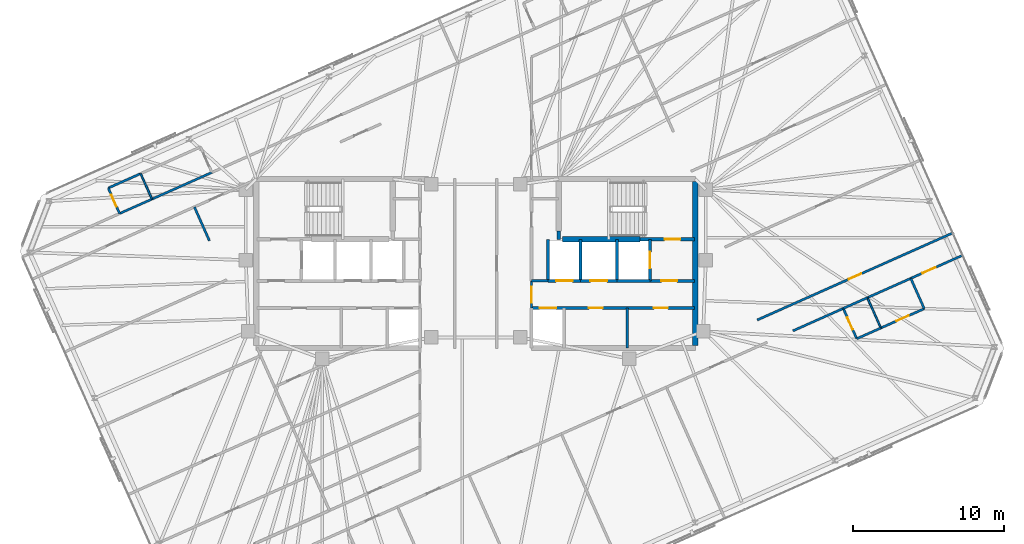
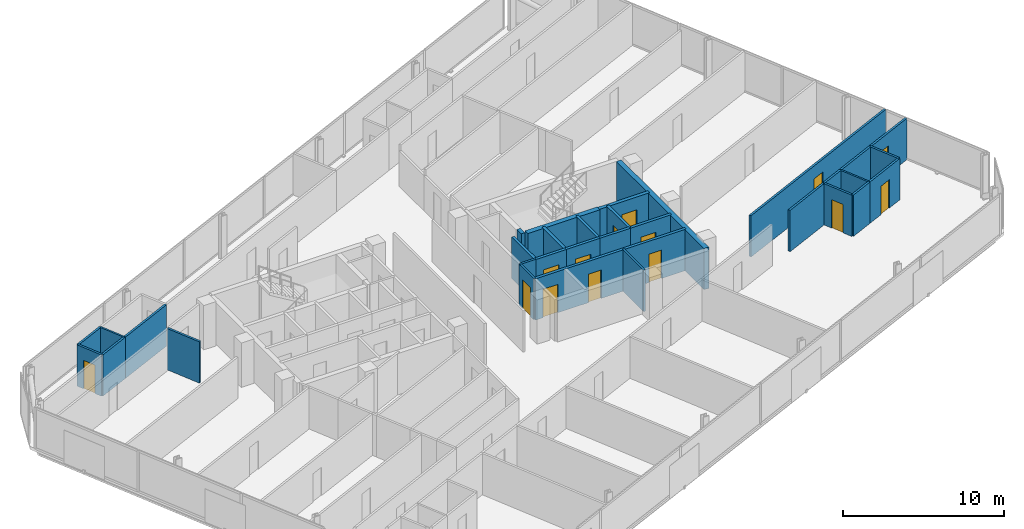
# One storey, part 15 of 19: 32 walls, 14 doors, 14 openings.
"""IFC4 building model written with IfcOpenShell, lengths in metres."""

from ifc_helpers import new_model, si_unit, direction, frame, frame_2d, origin, place, context, subcontext, project, spatial, rectangle, extrude, material, layer, layer_set, type_object, element, fill, save


model = new_model("IFC4")

# Units and contexts
model_context = context("Model", 3, precision=1e-05, world=origin(), true_north=direction((0.0, 1.0)))
body_context = subcontext(model_context, "Body", "Model", "MODEL_VIEW")
ifc_project = project(units=[si_unit("LENGTHUNIT", "METRE"), si_unit("AREAUNIT", "SQUARE_METRE"), si_unit("VOLUMEUNIT", "CUBIC_METRE"), si_unit("PLANEANGLEUNIT", "RADIAN"), si_unit("MASSUNIT", "GRAM", prefix="KILO")], contexts=[model_context])

# Site, building, storey
site_placement = place(None, origin())
site = spatial("IfcSite", under=ifc_project, at=site_placement, CompositionType="ELEMENT")
building_placement = place(site_placement, origin())
building = spatial("IfcBuilding", under=site, at=building_placement, Name="Menara Jurai Vektor", CompositionType="ELEMENT")
storey_placement = place(building_placement, frame((0.0, 0.0, 262.199951171875)))
storey = spatial("IfcBuildingStorey", under=building, at=storey_placement, Name="L70", CompositionType="ELEMENT", Elevation=262.199951171875)

# Wall, opening, door
ifc_material_1 = material(Name="Concrete C40/50", Category="concrete")
ifc_layer_1 = layer(ifc_material_1, 0.25)
ifc_layer_set_1 = layer_set([ifc_layer_1], Name="Concrete C40/50")
wall_type_1 = type_object("IfcWallType", Name="INT-WALL-CORE-250", PredefinedType="STANDARD", material=ifc_layer_set_1)
wall_1_placement = place(storey_placement, frame((10.89990234375, 1.60009765625, 0.0), z_axis=(0.0, 0.0, 1.0), x_axis=(1.0, 0.0, 0.0)))
wall_1 = element("IfcWall", 1, at=wall_1_placement, inside=storey, type_object=wall_type_1, Name="Interior Wall IW-250 L70", PredefinedType="STANDARD", context=body_context, shape_type="SweptSolid", body=[
    extrude(rectangle(XDim=3.60009765625, YDim=0.25, at=frame_2d((1.800048828125, 0.0))), origin(), (0.0, 0.0, 1.0), 3.125),
])
opening_1_placement = place(wall_1_placement, frame((1.6201171875, 0.0, 0.0)))
opening_1 = element("IfcOpeningElement", 2, at=opening_1_placement, cuts=wall_1, Name="Opening D-L70-ST2", PredefinedType="OPENING", context=body_context, shape_type="SweptSolid", body=[
    extrude(rectangle(XDim=1.050048828125, YDim=2.14990234375, at=frame_2d((0.52490234375, 1.074951171875))), frame((0.0, 0.135009765625, 0.0), z_axis=(0.0, -1.0, 0.0), x_axis=(1.0, 0.0, 0.0)), (0.0, 0.0, 1.0), 0.27001953125),
])
ifc_material_2 = material(Name="Fire-Rated Steel Door", Category="steel")
door_type_1 = type_object("IfcDoorType", Name="DR-STAIR-1050", OperationType="NOTDEFINED", PredefinedType="DOOR", material=ifc_material_2)
door_1_placement = place(opening_1_placement, origin())
door_1 = element("IfcDoor", 3, at=door_1_placement, inside=storey, type_object=door_type_1, Name="Exit Stair ST2 Door L70", OperationType="SINGLE_SWING_LEFT", OverallHeight=2.14990234375, OverallWidth=1.050048828125, PredefinedType="DOOR", context=body_context, shape_type="SweptSolid", body=[
    extrude(rectangle(XDim=1.050048828125, YDim=2.14990234375, at=frame_2d((0.52490234375, 1.074951171875))), frame((0.0, 0.02490234375, 0.0), z_axis=(0.0, -1.0, 0.0), x_axis=(1.0, 0.0, 0.0)), (0.0, 0.0, 1.0), 0.050048828125),
])
fill(opening_1, door_1)

# Wall
wall_2_placement = place(storey_placement, frame((5.5, 1.60009765625, 0.0), z_axis=(0.0, 0.0, 1.0), x_axis=(0.0, 1.0, 0.0)))
element("IfcWall", 4, at=wall_2_placement, inside=storey, type_object=wall_type_1, Name="Interior Wall IW-250 L70", PredefinedType="STANDARD", context=body_context, shape_type="SweptSolid", body=[
    extrude(rectangle(XDim=0.5498046875, YDim=0.25, at=frame_2d((0.27490234375, 0.0))), origin(), (0.0, 0.0, 1.0), 3.125),
])

# Wall, opening, door
wall_3_placement = place(storey_placement, frame((11.550048828125, -1.14990234375, 0.0), z_axis=(0.0, 0.0, 1.0), x_axis=(0.0, 1.0, 0.0)))
wall_3 = element("IfcWall", 5, at=wall_3_placement, inside=storey, type_object=wall_type_1, Name="Interior Wall IW-250 L70", PredefinedType="STANDARD", context=body_context, shape_type="SweptSolid", body=[
    extrude(rectangle(XDim=2.75, YDim=0.199951171875, at=frame_2d((1.375, 0.0))), origin(), (0.0, 0.0, 1.0), 3.125),
])
opening_2_placement = place(wall_3_placement, frame((0.824951171875, 0.0, 0.0)))
opening_2 = element("IfcOpeningElement", 6, at=opening_2_placement, cuts=wall_3, Name="Opening LD-L70-FL2", PredefinedType="OPENING", context=body_context, shape_type="SweptSolid", body=[
    extrude(rectangle(XDim=1.10009765625, YDim=2.14990234375, at=frame_2d((0.550048828125, 1.074951171875))), frame((0.0, 0.10986328125, 0.0), z_axis=(0.0, -1.0, 0.0), x_axis=(1.0, 0.0, 0.0)), (0.0, 0.0, 1.0), 0.219970703125),
])
ifc_material_3 = material(Name="Stainless Steel Sliding Lift Landing Door", Category="steel")
door_type_2 = type_object("IfcDoorType", Name="DR-LIFT-FIRE-1100", OperationType="NOTDEFINED", PredefinedType="DOOR", material=ifc_material_3)
door_2_placement = place(opening_2_placement, origin())
door_2 = element("IfcDoor", 7, at=door_2_placement, inside=storey, type_object=door_type_2, Name="Lift Landing Door FL2 L70", OperationType="SLIDING_TO_RIGHT", OverallHeight=2.14990234375, OverallWidth=1.10009765625, PredefinedType="DOOR", context=body_context, shape_type="SweptSolid", body=[
    extrude(rectangle(XDim=1.10009765625, YDim=2.14990234375, at=frame_2d((0.550048828125, 1.074951171875))), frame((0.0, 0.02490234375, 0.0), z_axis=(0.0, -1.0, 0.0), x_axis=(1.0, 0.0, 0.0)), (0.0, 0.0, 1.0), 0.050048828125),
])
fill(opening_2, door_2)

# Wall
wall_4_placement = place(storey_placement, frame((9.35009765625, -1.14990234375, 0.0), z_axis=(0.0, 0.0, 1.0), x_axis=(0.0, 1.0, 0.0)))
element("IfcWall", 8, at=wall_4_placement, inside=storey, type_object=wall_type_1, Name="Interior Wall IW-250 L70", PredefinedType="STANDARD", context=body_context, shape_type="SweptSolid", body=[
    extrude(rectangle(XDim=2.75, YDim=0.199951171875, at=frame_2d((1.375, 0.0))), origin(), (0.0, 0.0, 1.0), 3.125),
])

# Wall, opening, door
wall_5_placement = place(storey_placement, frame((11.550048828125, -1.14990234375, 0.0), z_axis=(0.0, 0.0, 1.0), x_axis=(1.0, 0.0, 0.0)))
wall_5 = element("IfcWall", 9, at=wall_5_placement, inside=storey, type_object=wall_type_1, Name="Interior Wall IW-250 L70", PredefinedType="STANDARD", context=body_context, shape_type="SweptSolid", body=[
    extrude(rectangle(XDim=2.949951171875, YDim=0.199951171875, at=frame_2d((1.47509765625, 0.0))), origin(), (0.0, 0.0, 1.0), 3.125),
])
opening_3_placement = place(wall_5_placement, frame((0.75, 0.0, 0.0)))
opening_3 = element("IfcOpeningElement", 10, at=opening_3_placement, cuts=wall_5, Name="Opening D-L70-FFE", PredefinedType="OPENING", context=body_context, shape_type="SweptSolid", body=[
    extrude(rectangle(XDim=1.050048828125, YDim=2.179931640625, at=frame_2d((0.52490234375, 1.08984375))), frame((0.0, 0.10986328125, 0.0), z_axis=(0.0, -1.0, 0.0), x_axis=(1.0, 0.0, 0.0)), (0.0, 0.0, 1.0), 0.219970703125),
])
ifc_material_4 = material(Name="Fire-Rated Timber Door", Category="wood")
door_type_3 = type_object("IfcDoorType", Name="DR-LOBBY-1050", OperationType="NOTDEFINED", PredefinedType="DOOR", material=ifc_material_4)
door_3_placement = place(opening_3_placement, origin())
door_3 = element("IfcDoor", 11, at=door_3_placement, inside=storey, type_object=door_type_3, Name="Fire Lift Lobby Door E L70", OperationType="SINGLE_SWING_LEFT", OverallHeight=2.179931640625, OverallWidth=1.050048828125, PredefinedType="DOOR", context=body_context, shape_type="SweptSolid", body=[
    extrude(rectangle(XDim=1.050048828125, YDim=2.179931640625, at=frame_2d((0.52490234375, 1.08984375))), frame((0.0, 0.02490234375, 0.0), z_axis=(0.0, -1.0, 0.0), x_axis=(1.0, 0.0, 0.0)), (0.0, 0.0, 1.0), 0.050048828125),
])
fill(opening_3, door_3)

# Wall
wall_6_placement = place(storey_placement, frame((9.35009765625, -1.14990234375, 0.0), z_axis=(0.0, 0.0, 1.0), x_axis=(1.0, 0.0, 0.0)))
element("IfcWall", 12, at=wall_6_placement, inside=storey, type_object=wall_type_1, Name="Interior Wall IW-250 L70", PredefinedType="STANDARD", context=body_context, shape_type="SweptSolid", body=[
    extrude(rectangle(XDim=2.199951171875, YDim=0.199951171875, at=frame_2d((1.10009765625, 0.0))), origin(), (0.0, 0.0, 1.0), 3.125),
])

# Wall, opening, door
ifc_material_5 = material(Name="Gypsum Fireboard Partition", Category="gypsum")
ifc_layer_2 = layer(ifc_material_5, 0.14990234375)
ifc_layer_set_2 = layer_set([ifc_layer_2], Name="Gypsum Fireboard Partition")
wall_type_2 = type_object("IfcWallType", Name="INT-WALL-CORR-150", PredefinedType="PARTITIONING", material=ifc_layer_set_2)
wall_7_placement = place(storey_placement, frame((3.699951171875, -2.949951171875, 0.0), z_axis=(0.0, 0.0, 1.0), x_axis=(0.0, 1.0, 0.0)))
wall_7 = element("IfcWall", 13, at=wall_7_placement, inside=storey, type_object=wall_type_2, Name="Interior Wall IW-150 L70", PredefinedType="PARTITIONING", context=body_context, shape_type="SweptSolid", body=[
    extrude(rectangle(XDim=1.800048828125, YDim=0.14990234375, at=frame_2d((0.89990234375, 0.0))), origin(), (0.0, 0.0, 1.0), 3.125),
])
opening_4_placement = place(wall_7_placement, frame((0.35009765625, 0.0, 0.0)))
opening_4 = element("IfcOpeningElement", 14, at=opening_4_placement, cuts=wall_7, Name="Opening D-L70-LLE", PredefinedType="OPENING", context=body_context, shape_type="SweptSolid", body=[
    extrude(rectangle(XDim=1.050048828125, YDim=2.179931640625, at=frame_2d((0.52490234375, 1.08984375))), frame((0.0, 0.0849609375, 0.0), z_axis=(0.0, -1.0, 0.0), x_axis=(1.0, 0.0, 0.0)), (0.0, 0.0, 1.0), 0.169921875),
])
door_4_placement = place(opening_4_placement, frame((1.050048828125, 0.0, 0.0), z_axis=(0.0, 0.0, 1.0), x_axis=(-1.0, 0.0, 0.0)))
door_4 = element("IfcDoor", 15, at=door_4_placement, inside=storey, type_object=door_type_3, Name="Lift Lobby Corridor Door E L70", OperationType="SINGLE_SWING_RIGHT", OverallHeight=2.179931640625, OverallWidth=1.050048828125, PredefinedType="DOOR", context=body_context, shape_type="SweptSolid", body=[
    extrude(rectangle(XDim=1.050048828125, YDim=2.179931640625, at=frame_2d((0.52490234375, 1.08984375))), frame((0.0, 0.02490234375, 0.0), z_axis=(0.0, -1.0, 0.0), x_axis=(1.0, 0.0, 0.0)), (0.0, 0.0, 1.0), 0.050048828125),
])
fill(opening_4, door_4)

# Walls
wall_8_placement = place(storey_placement, frame((3.699951171875, -1.14990234375, 0.0), z_axis=(0.0, 0.0, 1.0), x_axis=(1.0, 0.0, 0.0)))
element("IfcWall", 16, at=wall_8_placement, inside=storey, type_object=wall_type_2, Name="Interior Wall IW-150 L70", PredefinedType="PARTITIONING", context=body_context, shape_type="SweptSolid", body=[
    extrude(rectangle(XDim=1.090087890625, YDim=0.14990234375, at=frame_2d((0.544921875, 0.0))), origin(), (0.0, 0.0, 1.0), 3.125),
])
wall_9_placement = place(storey_placement, frame((10.0400390625, -5.60009765625, 0.0), z_axis=(0.0, 0.0, 1.0), x_axis=(0.0, 1.0, 0.0)))
element("IfcWall", 17, at=wall_9_placement, inside=storey, type_object=wall_type_2, Name="Interior Wall IW-150 L70", PredefinedType="PARTITIONING", context=body_context, shape_type="SweptSolid", body=[
    extrude(rectangle(XDim=2.650146484375, YDim=0.14990234375, at=frame_2d((1.3251953125, 0.0))), origin(), (0.0, 0.0, 1.0), 3.125),
])
wall_10_placement = place(storey_placement, frame((-23.6201171875, 3.3125, 0.0), z_axis=(0.0, 0.0, 1.0), x_axis=(0.913558622212, 0.406707073682, 0.0)))
element("IfcWall", 18, at=wall_10_placement, inside=storey, type_object=wall_type_2, Name="Interior Wall IW-150 L70", PredefinedType="PARTITIONING", context=body_context, shape_type="SweptSolid", body=[
    extrude(rectangle(XDim=2.35009765625, YDim=0.14990234375, at=frame_2d((1.175048828125, 0.0))), origin(), (0.0, 0.0, 1.0), 3.125),
])
wall_11_placement = place(storey_placement, frame((-21.47314453125, 4.268310546875, 0.0), z_axis=(0.0, 0.0, 1.0), x_axis=(0.913545193015, 0.406737237438, 0.0)))
element("IfcWall", 19, at=wall_11_placement, inside=storey, type_object=wall_type_2, Name="Interior Wall IW-150 L70", PredefinedType="PARTITIONING", context=body_context, shape_type="SweptSolid", body=[
    extrude(rectangle(XDim=4.349853515625, YDim=0.14990234375, at=frame_2d((2.1748046875, 0.0))), origin(), (0.0, 0.0, 1.0), 3.125),
])
wall_12_placement = place(storey_placement, frame((21.03271484375, -4.46484375, 0.0), z_axis=(0.0, 0.0, 1.0), x_axis=(0.913543802, 0.40674036169, 0.0)))
element("IfcWall", 20, at=wall_12_placement, inside=storey, type_object=wall_type_2, Name="Interior Wall IW-150 L70", PredefinedType="PARTITIONING", context=body_context, shape_type="SweptSolid", body=[
    extrude(rectangle(XDim=3.650146484375, YDim=0.14990234375, at=frame_2d((1.8251953125, 0.0))), origin(), (0.0, 0.0, 1.0), 3.125),
])

# Wall, opening, door
wall_13_placement = place(storey_placement, frame((28.841796875, -0.988037109375, 0.0), z_axis=(0.0, 0.0, 1.0), x_axis=(0.913541633228, 0.406745232743, 0.0)))
wall_13 = element("IfcWall", 21, at=wall_13_placement, inside=storey, type_object=wall_type_2, Name="Interior Wall IW-150 L70", PredefinedType="PARTITIONING", context=body_context, shape_type="SweptSolid", body=[
    extrude(rectangle(XDim=3.77001953125, YDim=0.14990234375, at=frame_2d((1.885009765625, 0.0))), origin(), (0.0, 0.0, 1.0), 3.125),
])
opening_5_placement = place(wall_13_placement, frame((0.844482421875, 0.0, 0.0)))
opening_5 = element("IfcOpeningElement", 22, at=opening_5_placement, cuts=wall_13, Name="Opening D70-18", PredefinedType="OPENING", context=body_context, shape_type="SweptSolid", body=[
    extrude(rectangle(XDim=0.949951171875, YDim=2.14990234375, at=frame_2d((0.47509765625, 1.074951171875))), frame((0.0, 0.0849609375, 0.0), z_axis=(0.0, -1.0, 0.0), x_axis=(1.0, 0.0, 0.0)), (0.0, 0.0, 1.0), 0.169921875),
])
ifc_material_6 = material(Name="Solid Core Timber Fire Door", Category="wood")
door_type_4 = type_object("IfcDoorType", Name="DR-ENTRY-950", OperationType="NOTDEFINED", PredefinedType="DOOR", material=ifc_material_6)
door_5_placement = place(opening_5_placement, origin())
door_5 = element("IfcDoor", 23, at=door_5_placement, inside=storey, type_object=door_type_4, Name="Interior Door D70-18", OperationType="SINGLE_SWING_LEFT", OverallHeight=2.14990234375, OverallWidth=0.949951171875, PredefinedType="DOOR", context=body_context, shape_type="SweptSolid", body=[
    extrude(rectangle(XDim=0.949951171875, YDim=2.14990234375, at=frame_2d((0.47509765625, 1.074951171875))), frame((0.0, 0.02490234375, 0.0), z_axis=(0.0, -1.0, 0.0), x_axis=(1.0, 0.0, 0.0)), (0.0, 0.0, 1.0), 0.050048828125),
])
fill(opening_5, door_5)

# Walls
wall_14_placement = place(storey_placement, frame((24.3671875, -2.980224609375, 0.0), z_axis=(0.0, 0.0, 1.0), x_axis=(0.9135579554, 0.406708571492, 0.0)))
element("IfcWall", 24, at=wall_14_placement, inside=storey, type_object=wall_type_2, Name="Interior Wall IW-150 L70", PredefinedType="PARTITIONING", context=body_context, shape_type="SweptSolid", body=[
    extrude(rectangle(XDim=1.748046875, YDim=0.14990234375, at=frame_2d((0.8740234375, 0.0))), origin(), (0.0, 0.0, 1.0), 3.125),
])
wall_15_placement = place(storey_placement, frame((25.964111328125, -2.269287109375, 0.0), z_axis=(0.0, 0.0, 1.0), x_axis=(0.913542880558, 0.406742431252, 0.0)))
element("IfcWall", 25, at=wall_15_placement, inside=storey, type_object=wall_type_2, Name="Interior Wall IW-150 L70", PredefinedType="PARTITIONING", context=body_context, shape_type="SweptSolid", body=[
    extrude(rectangle(XDim=3.150146484375, YDim=0.14990234375, at=frame_2d((1.5751953125, 0.0))), origin(), (0.0, 0.0, 1.0), 3.125),
])

# Wall, opening, door
wall_16_placement = place(storey_placement, frame((18.661865234375, -3.747314453125, 0.0), z_axis=(0.0, 0.0, 1.0), x_axis=(0.913544622417, 0.406738519018, 0.0)))
wall_16 = element("IfcWall", 26, at=wall_16_placement, inside=storey, type_object=wall_type_2, Name="Interior Wall IW-150 L70", PredefinedType="PARTITIONING", context=body_context, shape_type="SweptSolid", body=[
    extrude(rectangle(XDim=14.192138671875, YDim=0.14990234375, at=frame_2d((7.09619140625, 0.0))), origin(), (0.0, 0.0, 1.0), 3.125),
])
opening_6_placement = place(wall_16_placement, frame((6.635986328125, 0.0, 0.0)))
opening_6 = element("IfcOpeningElement", 27, at=opening_6_placement, cuts=wall_16, Name="Opening D70-41", PredefinedType="OPENING", context=body_context, shape_type="SweptSolid", body=[
    extrude(rectangle(XDim=0.919921875, YDim=2.14990234375, at=frame_2d((0.4599609375, 1.074951171875))), frame((0.0, 0.0849609375, 0.0), z_axis=(0.0, -1.0, 0.0), x_axis=(1.0, 0.0, 0.0)), (0.0, 0.0, 1.0), 0.169921875),
])
door_6_placement = place(opening_6_placement, origin())
door_6 = element("IfcDoor", 28, at=door_6_placement, inside=storey, type_object=door_type_4, Name="Interior Door D70-41", OperationType="SINGLE_SWING_RIGHT", OverallHeight=2.14990234375, OverallWidth=0.919921875, PredefinedType="DOOR", context=body_context, shape_type="SweptSolid", body=[
    extrude(rectangle(XDim=0.919921875, YDim=2.14990234375, at=frame_2d((0.4599609375, 1.074951171875))), frame((0.0, 0.02490234375, 0.0), z_axis=(0.0, -1.0, 0.0), x_axis=(1.0, 0.0, 0.0)), (0.0, 0.0, 1.0), 0.050048828125),
])
fill(opening_6, door_6)

wall_17_placement = place(storey_placement, frame((-23.6201171875, 3.3125, 0.0), z_axis=(0.0, 0.0, 1.0), x_axis=(-0.406701600856, 0.913561058639, 0.0)))
wall_17 = element("IfcWall", 29, at=wall_17_placement, inside=storey, type_object=wall_type_2, Name="Interior Wall IW-150 L70", PredefinedType="PARTITIONING", context=body_context, shape_type="SweptSolid", body=[
    extrude(rectangle(XDim=1.85009765625, YDim=0.14990234375, at=frame_2d((0.925048828125, 0.0))), origin(), (0.0, 0.0, 1.0), 3.125),
])
opening_7_placement = place(wall_17_placement, frame((0.485107421875, 0.0, 0.0)))
opening_7 = element("IfcOpeningElement", 30, at=opening_7_placement, cuts=wall_17, Name="Opening D70-10", PredefinedType="OPENING", context=body_context, shape_type="SweptSolid", body=[
    extrude(rectangle(XDim=0.8798828125, YDim=2.14990234375, at=frame_2d((0.43994140625, 1.074951171875))), frame((0.0, 0.0849609375, 0.0), z_axis=(0.0, -1.0, 0.0), x_axis=(1.0, 0.0, 0.0)), (0.0, 0.0, 1.0), 0.169921875),
])
ifc_material_7 = material(Name="Moisture-Resistant Timber Door", Category="wood")
door_type_5 = type_object("IfcDoorType", Name="DR-BATH-880", OperationType="NOTDEFINED", PredefinedType="DOOR", material=ifc_material_7)
door_7_placement = place(opening_7_placement, origin())
door_7 = element("IfcDoor", 31, at=door_7_placement, inside=storey, type_object=door_type_5, Name="Interior Door D70-10", OperationType="SINGLE_SWING_LEFT", OverallHeight=2.14990234375, OverallWidth=0.8798828125, PredefinedType="DOOR", context=body_context, shape_type="SweptSolid", body=[
    extrude(rectangle(XDim=0.8798828125, YDim=2.14990234375, at=frame_2d((0.43994140625, 1.074951171875))), frame((0.0, 0.02490234375, 0.0), z_axis=(0.0, -1.0, 0.0), x_axis=(1.0, 0.0, 0.0)), (0.0, 0.0, 1.0), 0.050048828125),
])
fill(opening_7, door_7)

# Wall
wall_18_placement = place(storey_placement, frame((-24.37255859375, 5.002685546875, 0.0), z_axis=(0.0, 0.0, 1.0), x_axis=(0.913558622212, 0.406707073682, 0.0)))
element("IfcWall", 32, at=wall_18_placement, inside=storey, type_object=wall_type_2, Name="Interior Wall IW-150 L70", PredefinedType="PARTITIONING", context=body_context, shape_type="SweptSolid", body=[
    extrude(rectangle(XDim=2.35009765625, YDim=0.14990234375, at=frame_2d((1.175048828125, 0.0))), origin(), (0.0, 0.0, 1.0), 3.125),
])

# Wall, opening, door
wall_19_placement = place(storey_placement, frame((25.261962890625, -4.989990234375, 0.0), z_axis=(0.0, 0.0, 1.0), x_axis=(-0.406725294076, 0.913550510459, 0.0)))
wall_19 = element("IfcWall", 33, at=wall_19_placement, inside=storey, type_object=wall_type_2, Name="Interior Wall IW-150 L70", PredefinedType="PARTITIONING", context=body_context, shape_type="SweptSolid", body=[
    extrude(rectangle(XDim=2.199951171875, YDim=0.14990234375, at=frame_2d((1.10009765625, 0.0))), origin(), (0.0, 0.0, 1.0), 3.125),
])
opening_8_placement = place(wall_19_placement, frame((0.659912109375, 0.0, 0.0)))
opening_8 = element("IfcOpeningElement", 34, at=opening_8_placement, cuts=wall_19, Name="Opening D70-19", PredefinedType="OPENING", context=body_context, shape_type="SweptSolid", body=[
    extrude(rectangle(XDim=0.8798828125, YDim=2.14990234375, at=frame_2d((0.43994140625, 1.074951171875))), frame((0.0, 0.0849609375, 0.0), z_axis=(0.0, -1.0, 0.0), x_axis=(1.0, 0.0, 0.0)), (0.0, 0.0, 1.0), 0.169921875),
])
door_8_placement = place(opening_8_placement, origin())
door_8 = element("IfcDoor", 35, at=door_8_placement, inside=storey, type_object=door_type_5, Name="Interior Door D70-19", OperationType="SINGLE_SWING_RIGHT", OverallHeight=2.14990234375, OverallWidth=0.8798828125, PredefinedType="DOOR", context=body_context, shape_type="SweptSolid", body=[
    extrude(rectangle(XDim=0.8798828125, YDim=2.14990234375, at=frame_2d((0.43994140625, 1.074951171875))), frame((0.0, 0.02490234375, 0.0), z_axis=(0.0, -1.0, 0.0), x_axis=(1.0, 0.0, 0.0)), (0.0, 0.0, 1.0), 0.050048828125),
])
fill(opening_8, door_8)

# Wall
wall_20_placement = place(storey_placement, frame((25.261962890625, -4.989990234375, 0.0), z_axis=(0.0, 0.0, 1.0), x_axis=(0.9135579554, 0.406708571492, 0.0)))
element("IfcWall", 36, at=wall_20_placement, inside=storey, type_object=wall_type_2, Name="Interior Wall IW-150 L70", PredefinedType="PARTITIONING", context=body_context, shape_type="SweptSolid", body=[
    extrude(rectangle(XDim=1.748046875, YDim=0.14990234375, at=frame_2d((0.8740234375, 0.0))), origin(), (0.0, 0.0, 1.0), 3.125),
])

# Wall, opening, door
wall_21_placement = place(storey_placement, frame((26.85888671875, -4.279052734375, 0.0), z_axis=(0.0, 0.0, 1.0), x_axis=(0.913542880558, 0.406742431252, 0.0)))
wall_21 = element("IfcWall", 37, at=wall_21_placement, inside=storey, type_object=wall_type_2, Name="Interior Wall IW-150 L70", PredefinedType="PARTITIONING", context=body_context, shape_type="SweptSolid", body=[
    extrude(rectangle(XDim=3.150146484375, YDim=0.14990234375, at=frame_2d((1.5751953125, 0.0))), origin(), (0.0, 0.0, 1.0), 3.125),
])
opening_9_placement = place(wall_21_placement, frame((1.125, 0.0, 0.0)))
opening_9 = element("IfcOpeningElement", 38, at=opening_9_placement, cuts=wall_21, Name="Opening D70-20", PredefinedType="OPENING", context=body_context, shape_type="SweptSolid", body=[
    extrude(rectangle(XDim=0.89990234375, YDim=2.14990234375, at=frame_2d((0.449951171875, 1.074951171875))), frame((0.0, 0.0849609375, 0.0), z_axis=(0.0, -1.0, 0.0), x_axis=(1.0, 0.0, 0.0)), (0.0, 0.0, 1.0), 0.169921875),
])
ifc_material_8 = material(Name="Acoustic Timber Interior Door", Category="wood")
door_type_6 = type_object("IfcDoorType", Name="DR-ROOM-900", OperationType="NOTDEFINED", PredefinedType="DOOR", material=ifc_material_8)
door_9_placement = place(opening_9_placement, origin())
door_9 = element("IfcDoor", 39, at=door_9_placement, inside=storey, type_object=door_type_6, Name="Interior Door D70-20", OperationType="SINGLE_SWING_LEFT", OverallHeight=2.14990234375, OverallWidth=0.89990234375, PredefinedType="DOOR", context=body_context, shape_type="SweptSolid", body=[
    extrude(rectangle(XDim=0.89990234375, YDim=2.14990234375, at=frame_2d((0.449951171875, 1.074951171875))), frame((0.0, 0.02490234375, 0.0), z_axis=(0.0, -1.0, 0.0), x_axis=(1.0, 0.0, 0.0)), (0.0, 0.0, 1.0), 0.050048828125),
])
fill(opening_9, door_9)

# Walls
wall_22_placement = place(storey_placement, frame((29.736572265625, -2.997802734375, 0.0), z_axis=(0.0, 0.0, 1.0), x_axis=(-0.406725294076, 0.913550510459, 0.0)))
element("IfcWall", 40, at=wall_22_placement, inside=storey, type_object=wall_type_2, Name="Interior Wall IW-150 L70", PredefinedType="PARTITIONING", context=body_context, shape_type="SweptSolid", body=[
    extrude(rectangle(XDim=2.199951171875, YDim=0.14990234375, at=frame_2d((1.10009765625, 0.0))), origin(), (0.0, 0.0, 1.0), 3.125),
])
wall_23_placement = place(storey_placement, frame((-17.66259765625, 1.50439453125, 0.0), z_axis=(0.0, 0.0, 1.0), x_axis=(-0.406747374275, 0.913540679729, 0.0)))
element("IfcWall", 41, at=wall_23_placement, inside=storey, type_object=wall_type_2, Name="Interior Wall IW-150 L70", PredefinedType="PARTITIONING", context=body_context, shape_type="SweptSolid", body=[
    extrude(rectangle(XDim=2.454833984375, YDim=0.14990234375, at=frame_2d((1.2275390625, 0.0))), origin(), (0.0, 0.0, 1.0), 3.125),
])
ifc_material_9 = material(Name="Gypsum Acoustic Stud Partition", Category="gypsum")
ifc_layer_3 = layer(ifc_material_9, 0.1201171875)
ifc_layer_set_3 = layer_set([ifc_layer_3], Name="Gypsum Acoustic Stud Partition")
wall_type_3 = type_object("IfcWallType", Name="INT-WALL-PART-120", PredefinedType="PARTITIONING", material=ifc_layer_set_3)
wall_24_placement = place(storey_placement, frame((-21.47314453125, 4.268310546875, 0.0), z_axis=(0.0, 0.0, 1.0), x_axis=(-0.406701600856, 0.913561058639, 0.0)))
element("IfcWall", 42, at=wall_24_placement, inside=storey, type_object=wall_type_3, Name="Interior Wall IW-120 L70", PredefinedType="PARTITIONING", context=body_context, shape_type="SweptSolid", body=[
    extrude(rectangle(XDim=1.85009765625, YDim=0.1201171875, at=frame_2d((0.925048828125, 0.0))), origin(), (0.0, 0.0, 1.0), 3.125),
])
wall_25_placement = place(storey_placement, frame((26.85888671875, -4.279052734375, 0.0), z_axis=(0.0, 0.0, 1.0), x_axis=(-0.406725294076, 0.913550510459, 0.0)))
element("IfcWall", 43, at=wall_25_placement, inside=storey, type_object=wall_type_3, Name="Interior Wall IW-120 L70", PredefinedType="PARTITIONING", context=body_context, shape_type="SweptSolid", body=[
    extrude(rectangle(XDim=2.199951171875, YDim=0.1201171875, at=frame_2d((1.10009765625, 0.0))), origin(), (0.0, 0.0, 1.0), 3.125),
])
ifc_layer_4 = layer(ifc_material_1, 0.199951171875)
ifc_layer_set_4 = layer_set([ifc_layer_4], Name="Concrete C40/50")
wall_type_4 = type_object("IfcWallType", Name="INT-WALL-SHAFT-200", PredefinedType="STANDARD", material=ifc_layer_set_4)
wall_26_placement = place(storey_placement, frame((6.949951171875, -1.14990234375, 0.0), z_axis=(0.0, 0.0, 1.0), x_axis=(0.0, 1.0, 0.0)))
element("IfcWall", 44, at=wall_26_placement, inside=storey, type_object=wall_type_4, Name="Interior Wall IW-200 L70", PredefinedType="STANDARD", context=body_context, shape_type="SweptSolid", body=[
    extrude(rectangle(XDim=2.75, YDim=0.199951171875, at=frame_2d((1.375, 0.0))), origin(), (0.0, 0.0, 1.0), 3.125),
])

# Wall, opening, door
wall_27_placement = place(storey_placement, frame((6.949951171875, -1.14990234375, 0.0), z_axis=(0.0, 0.0, 1.0), x_axis=(1.0, 0.0, 0.0)))
wall_27 = element("IfcWall", 45, at=wall_27_placement, inside=storey, type_object=wall_type_4, Name="Interior Wall IW-200 L70", PredefinedType="STANDARD", context=body_context, shape_type="SweptSolid", body=[
    extrude(rectangle(XDim=2.400146484375, YDim=0.199951171875, at=frame_2d((1.2001953125, 0.0))), origin(), (0.0, 0.0, 1.0), 3.125),
])
opening_10_placement = place(wall_27_placement, frame((0.64990234375, 0.0, 0.0)))
opening_10 = element("IfcOpeningElement", 46, at=opening_10_placement, cuts=wall_27, Name="Opening LD-L70-SVL2", PredefinedType="OPENING", context=body_context, shape_type="SweptSolid", body=[
    extrude(rectangle(XDim=1.10009765625, YDim=2.14990234375, at=frame_2d((0.550048828125, 1.074951171875))), frame((0.0, 0.10986328125, 0.0), z_axis=(0.0, -1.0, 0.0), x_axis=(1.0, 0.0, 0.0)), (0.0, 0.0, 1.0), 0.219970703125),
])
ifc_material_10 = material(Name="Anodised Stainless Sliding Lift Landing Door", Category="steel")
door_type_7 = type_object("IfcDoorType", Name="DR-LIFT-PASS-1100", OperationType="NOTDEFINED", PredefinedType="DOOR", material=ifc_material_10)
door_10_placement = place(opening_10_placement, origin())
door_10 = element("IfcDoor", 47, at=door_10_placement, inside=storey, type_object=door_type_7, Name="Lift Landing Door SVL2 L70", OperationType="SLIDING_TO_RIGHT", OverallHeight=2.14990234375, OverallWidth=1.10009765625, PredefinedType="DOOR", context=body_context, shape_type="SweptSolid", body=[
    extrude(rectangle(XDim=1.10009765625, YDim=2.14990234375, at=frame_2d((0.550048828125, 1.074951171875))), frame((0.0, 0.02490234375, 0.0), z_axis=(0.0, -1.0, 0.0), x_axis=(1.0, 0.0, 0.0)), (0.0, 0.0, 1.0), 0.050048828125),
])
fill(opening_10, door_10)

# Wall
wall_28_placement = place(storey_placement, frame((4.7900390625, -1.14990234375, 0.0), z_axis=(0.0, 0.0, 1.0), x_axis=(0.0, 1.0, 0.0)))
element("IfcWall", 48, at=wall_28_placement, inside=storey, type_object=wall_type_4, Name="Interior Wall IW-200 L70", PredefinedType="STANDARD", context=body_context, shape_type="SweptSolid", body=[
    extrude(rectangle(XDim=2.75, YDim=0.199951171875, at=frame_2d((1.375, 0.0))), origin(), (0.0, 0.0, 1.0), 3.125),
])

# Wall, opening, door
wall_29_placement = place(storey_placement, frame((4.7900390625, -1.14990234375, 0.0), z_axis=(0.0, 0.0, 1.0), x_axis=(1.0, 0.0, 0.0)))
wall_29 = element("IfcWall", 49, at=wall_29_placement, inside=storey, type_object=wall_type_4, Name="Interior Wall IW-200 L70", PredefinedType="STANDARD", context=body_context, shape_type="SweptSolid", body=[
    extrude(rectangle(XDim=2.159912109375, YDim=0.199951171875, at=frame_2d((1.080078125, 0.0))), origin(), (0.0, 0.0, 1.0), 3.125),
])
opening_11_placement = place(wall_29_placement, frame((0.530029296875, 0.0, 0.0)))
opening_11 = element("IfcOpeningElement", 50, at=opening_11_placement, cuts=wall_29, Name="Opening LD-L70-PH4", PredefinedType="OPENING", context=body_context, shape_type="SweptSolid", body=[
    extrude(rectangle(XDim=1.10009765625, YDim=2.14990234375, at=frame_2d((0.550048828125, 1.074951171875))), frame((0.0, 0.10986328125, 0.0), z_axis=(0.0, -1.0, 0.0), x_axis=(1.0, 0.0, 0.0)), (0.0, 0.0, 1.0), 0.219970703125),
])
door_11_placement = place(opening_11_placement, origin())
door_11 = element("IfcDoor", 51, at=door_11_placement, inside=storey, type_object=door_type_7, Name="Lift Landing Door PH4 L70", OperationType="SLIDING_TO_LEFT", OverallHeight=2.14990234375, OverallWidth=1.10009765625, PredefinedType="DOOR", context=body_context, shape_type="SweptSolid", body=[
    extrude(rectangle(XDim=1.10009765625, YDim=2.14990234375, at=frame_2d((0.550048828125, 1.074951171875))), frame((0.0, 0.02490234375, 0.0), z_axis=(0.0, -1.0, 0.0), x_axis=(1.0, 0.0, 0.0)), (0.0, 0.0, 1.0), 0.050048828125),
])
fill(opening_11, door_11)

# Wall, openings, doors
wall_30_placement = place(storey_placement, frame((3.699951171875, -2.949951171875, 0.0), z_axis=(0.0, 0.0, 1.0), x_axis=(1.0, 0.0, 0.0)))
wall_30 = element("IfcWall", 52, at=wall_30_placement, inside=storey, type_object=wall_type_4, Name="Interior Wall IW-200 L70", PredefinedType="STANDARD", context=body_context, shape_type="SweptSolid", body=[
    extrude(rectangle(XDim=10.800048828125, YDim=0.199951171875, at=frame_2d((5.39990234375, 0.0))), origin(), (0.0, 0.0, 1.0), 3.125),
])
opening_12_placement = place(wall_30_placement, frame((0.530029296875, 0.0, 0.0)))
opening_12 = element("IfcOpeningElement", 53, at=opening_12_placement, cuts=wall_30, Name="Opening LD-L70-PH3", PredefinedType="OPENING", context=body_context, shape_type="SweptSolid", body=[
    extrude(rectangle(XDim=1.10009765625, YDim=2.14990234375, at=frame_2d((0.550048828125, 1.074951171875))), frame((0.0, 0.10986328125, 0.0), z_axis=(0.0, -1.0, 0.0), x_axis=(1.0, 0.0, 0.0)), (0.0, 0.0, 1.0), 0.219970703125),
])
opening_13_placement = place(wall_30_placement, frame((3.7900390625, 0.0, 0.0)))
opening_13 = element("IfcOpeningElement", 54, at=opening_13_placement, cuts=wall_30, Name="Opening D70-05", PredefinedType="OPENING", context=body_context, shape_type="SweptSolid", body=[
    extrude(rectangle(XDim=0.919921875, YDim=2.14990234375, at=frame_2d((0.4599609375, 1.074951171875))), frame((0.0, 0.10986328125, 0.0), z_axis=(0.0, -1.0, 0.0), x_axis=(1.0, 0.0, 0.0)), (0.0, 0.0, 1.0), 0.219970703125),
])
opening_14_placement = place(wall_30_placement, frame((8.110107421875, 0.0, 0.0)))
opening_14 = element("IfcOpeningElement", 55, at=opening_14_placement, cuts=wall_30, Name="Opening D70-06", PredefinedType="OPENING", context=body_context, shape_type="SweptSolid", body=[
    extrude(rectangle(XDim=0.919921875, YDim=2.14990234375, at=frame_2d((0.4599609375, 1.074951171875))), frame((0.0, 0.10986328125, 0.0), z_axis=(0.0, -1.0, 0.0), x_axis=(1.0, 0.0, 0.0)), (0.0, 0.0, 1.0), 0.219970703125),
])
door_12_placement = place(opening_13_placement, origin())
door_12 = element("IfcDoor", 56, at=door_12_placement, inside=storey, type_object=door_type_4, Name="Interior Door D70-05", OperationType="SINGLE_SWING_LEFT", OverallHeight=2.14990234375, OverallWidth=0.919921875, PredefinedType="DOOR", context=body_context, shape_type="SweptSolid", body=[
    extrude(rectangle(XDim=0.919921875, YDim=2.14990234375, at=frame_2d((0.4599609375, 1.074951171875))), frame((0.0, 0.02490234375, 0.0), z_axis=(0.0, -1.0, 0.0), x_axis=(1.0, 0.0, 0.0)), (0.0, 0.0, 1.0), 0.050048828125),
])
fill(opening_13, door_12)
door_13_placement = place(opening_14_placement, origin())
door_13 = element("IfcDoor", 57, at=door_13_placement, inside=storey, type_object=door_type_4, Name="Interior Door D70-06", OperationType="SINGLE_SWING_RIGHT", OverallHeight=2.14990234375, OverallWidth=0.919921875, PredefinedType="DOOR", context=body_context, shape_type="SweptSolid", body=[
    extrude(rectangle(XDim=0.919921875, YDim=2.14990234375, at=frame_2d((0.4599609375, 1.074951171875))), frame((0.0, 0.02490234375, 0.0), z_axis=(0.0, -1.0, 0.0), x_axis=(1.0, 0.0, 0.0)), (0.0, 0.0, 1.0), 0.050048828125),
])
fill(opening_14, door_13)
door_14_placement = place(opening_12_placement, origin())
door_14 = element("IfcDoor", 58, at=door_14_placement, inside=storey, type_object=door_type_7, Name="Lift Landing Door PH3 L70", OperationType="SLIDING_TO_RIGHT", OverallHeight=2.14990234375, OverallWidth=1.10009765625, PredefinedType="DOOR", context=body_context, shape_type="SweptSolid", body=[
    extrude(rectangle(XDim=1.10009765625, YDim=2.14990234375, at=frame_2d((0.550048828125, 1.074951171875))), frame((0.0, 0.02490234375, 0.0), z_axis=(0.0, -1.0, 0.0), x_axis=(1.0, 0.0, 0.0)), (0.0, 0.0, 1.0), 0.050048828125),
])
fill(opening_12, door_14)

# Walls
ifc_material_11 = material(Name="Concrete C50/60", Category="concrete")
ifc_layer_5 = layer(ifc_material_11, 0.35009765625)
ifc_layer_set_5 = layer_set([ifc_layer_5], Name="Concrete C50/60")
wall_type_5 = type_object("IfcWallType", Name="STR-WALL-CORE350", PredefinedType="SHEAR", material=ifc_layer_set_5)
wall_31_placement = place(storey_placement, frame((14.56005859375, -5.425048828125, 0.0), z_axis=(0.0, 0.0, 1.0), x_axis=(0.0, 1.0, 0.0)))
element("IfcWall", 59, at=wall_31_placement, inside=storey, type_object=wall_type_5, Name="Core Shear Wall CW-E-E L70", PredefinedType="SHEAR", context=body_context, shape_type="SweptSolid", body=[
    extrude(rectangle(XDim=10.85009765625, YDim=0.35009765625, at=frame_2d((5.425048828125, 0.0))), origin(), (0.0, 0.0, 1.0), 3.125),
])
wall_32_placement = place(storey_placement, frame((5.75, 1.60009765625, 0.0), z_axis=(0.0, 0.0, 1.0), x_axis=(1.0, 0.0, 0.0)))
element("IfcWall", 60, at=wall_32_placement, inside=storey, type_object=wall_type_5, Name="Core Shear Wall CW-E-STS L70", PredefinedType="SHEAR", context=body_context, shape_type="SweptSolid", body=[
    extrude(rectangle(XDim=5.14990234375, YDim=0.35009765625, at=frame_2d((2.574951171875, 0.0))), origin(), (0.0, 0.0, 1.0), 3.125),
])

save(model, "model.ifc")
